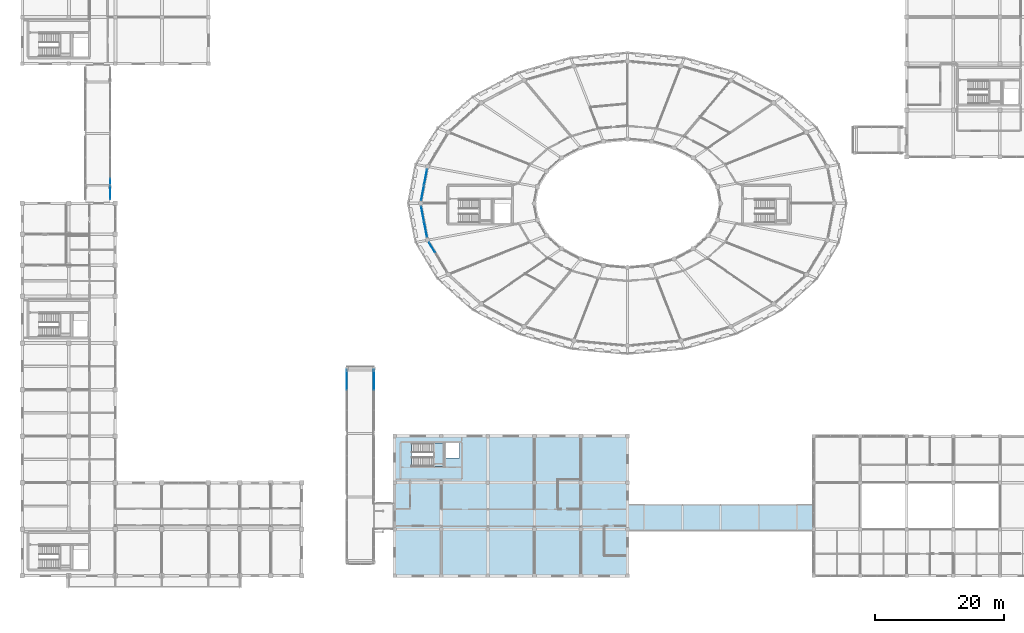
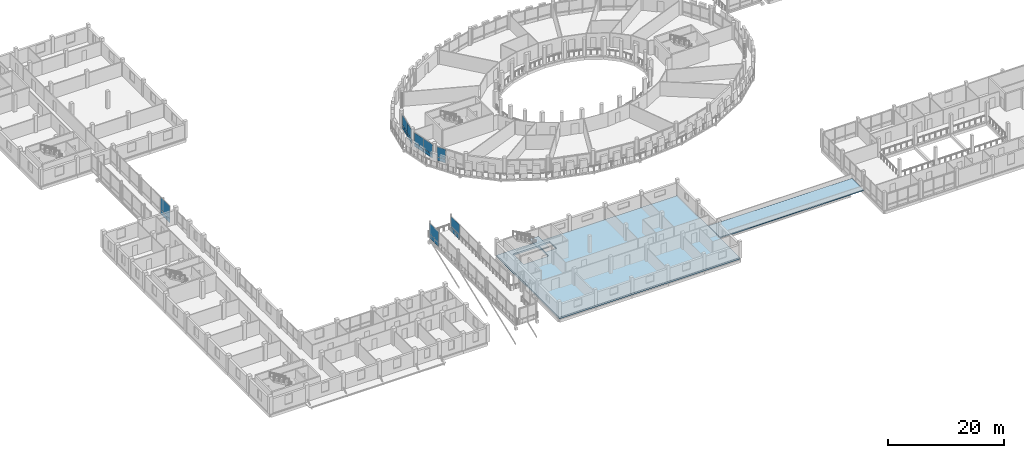
# One storey, part 98 of 128: 16 plates, 3 slabs, 7 elements without a shape of their own.
"""IFC4 building model written with IfcOpenShell, lengths in metres."""

from ifc_helpers import new_model, si_unit, direction, frame, origin, origin_2d, place, context, subcontext, project, spatial, polyline, rectangle, outline, extrude, material, layer, layer_set, type_object, element, aggregate, save


model = new_model("IFC4")

# Units and contexts
model_context = context("Model", 3, precision=1e-05, world=origin(), true_north=direction((0.0, 1.0)))
body_context = subcontext(model_context, "Body", "Model", "MODEL_VIEW")
ifc_project = project(units=[si_unit("LENGTHUNIT", "METRE"), si_unit("AREAUNIT", "SQUARE_METRE"), si_unit("VOLUMEUNIT", "CUBIC_METRE"), si_unit("PLANEANGLEUNIT", "RADIAN"), si_unit("MASSUNIT", "GRAM", prefix="KILO")], contexts=[model_context])

# Site, building, storey
site_placement = place(None, origin())
site = spatial("IfcSite", under=ifc_project, at=site_placement, CompositionType="ELEMENT")
building_placement = place(site_placement, origin())
building = spatial("IfcBuilding", under=site, at=building_placement, Name="Zornivar Specialist Clinic", CompositionType="ELEMENT")
storey_placement = place(building_placement, frame((0.0, 0.0, 4.5)))
storey = spatial("IfcBuildingStorey", under=building, at=storey_placement, Name="L01", CompositionType="ELEMENT", Elevation=4.5)

# Curtain wall, plates
ifc_material_1 = material(Name="Aluminium and Low-E Glass Curtain Wall", Category="aluminium")
curtain_wall_type_1 = type_object("IfcCurtainWallType", Name="CW-DRUM-FACET", PredefinedType="NOTDEFINED", material=ifc_material_1)
curtain_wall_1_placement = place(storey_placement, origin())
curtain_wall_1 = element("IfcCurtainWall", 1, at=curtain_wall_1_placement, inside=storey, type_object=curtain_wall_type_1, Name="cw:V1:L01:c11", PredefinedType="NOTDEFINED")
ifc_material_2 = material(Name="Insulated Bronze Spandrel Panel")
ifc_layer_1 = layer(ifc_material_2, 0.048095703125)
ifc_layer_set_1 = layer_set([ifc_layer_1], Name="Insulated Bronze Spandrel Panel")
plate_type_1 = type_object("IfcPlateType", Name="CWP-SPN-A", PredefinedType="CURTAIN_PANEL", material=ifc_layer_set_1)
plate_1_placement = place(storey_placement, frame((62.3720703125, 61.635009765625, 0.03076171875), z_axis=(0.0, 0.0, 1.0), x_axis=(-0.187896976838, -0.982188742602, 0.0)))
plate_1 = element("IfcPlate", 2, at=plate_1_placement, type_object=plate_type_1, Name="cw:V1:L01:c11:spn:0", PredefinedType="CURTAIN_PANEL", context=body_context, shape_type="SweptSolid", body=[
    extrude(rectangle(XDim=2.34912109375, YDim=0.048095703125, at=origin_2d()), origin(), (0.0, 0.0, 1.0), 0.722900390625),
])
plate_2_placement = place(storey_placement, frame((61.9169921875, 59.259033203125, 0.03076171875), z_axis=(0.0, 0.0, 1.0), x_axis=(-0.187896976838, -0.982188742602, 0.0)))
plate_2 = element("IfcPlate", 3, at=plate_2_placement, type_object=plate_type_1, Name="cw:V1:L01:c11:spn:1", PredefinedType="CURTAIN_PANEL", context=body_context, shape_type="SweptSolid", body=[
    extrude(rectangle(XDim=2.34912109375, YDim=0.048095703125, at=origin_2d()), origin(), (0.0, 0.0, 1.0), 0.722900390625),
])

curtain_wall_2_placement = place(storey_placement, origin())
curtain_wall_2 = element("IfcCurtainWall", 4, at=curtain_wall_2_placement, inside=storey, type_object=curtain_wall_type_1, Name="cw:V1:L01:c12", PredefinedType="NOTDEFINED")
ifc_material_3 = material(Name="Insulated Bronze Spandrel Panel")
ifc_layer_2 = layer(ifc_material_3, 0.048095703125)
ifc_layer_set_2 = layer_set([ifc_layer_2], Name="Insulated Bronze Spandrel Panel")
plate_type_2 = type_object("IfcPlateType", Name="CWP-SPN-B", PredefinedType="CURTAIN_PANEL", material=ifc_layer_set_2)
plate_3_placement = place(storey_placement, frame((61.91796875, 55.94091796875, 0.03076171875), z_axis=(0.0, 0.0, 1.0), x_axis=(0.187896976838, -0.982188742602, 0.0)))
plate_3 = element("IfcPlate", 5, at=plate_3_placement, type_object=plate_type_2, Name="cw:V1:L01:c12:spn:0", PredefinedType="CURTAIN_PANEL", context=body_context, shape_type="SweptSolid", body=[
    extrude(rectangle(XDim=2.34912109375, YDim=0.048095703125, at=origin_2d()), origin(), (0.0, 0.0, 1.0), 0.722900390625),
])
plate_4_placement = place(storey_placement, frame((62.373046875, 53.56494140625, 0.03076171875), z_axis=(0.0, 0.0, 1.0), x_axis=(0.187896976838, -0.982188742602, 0.0)))
plate_4 = element("IfcPlate", 6, at=plate_4_placement, type_object=plate_type_2, Name="cw:V1:L01:c12:spn:1", PredefinedType="CURTAIN_PANEL", context=body_context, shape_type="SweptSolid", body=[
    extrude(rectangle(XDim=2.34912109375, YDim=0.048095703125, at=origin_2d()), origin(), (0.0, 0.0, 1.0), 0.722900390625),
])

# Curtain wall, plate
curtain_wall_3_placement = place(storey_placement, origin())
curtain_wall_3 = element("IfcCurtainWall", 7, at=curtain_wall_3_placement, inside=storey, type_object=curtain_wall_type_1, Name="cw:V1:L01:c13", PredefinedType="NOTDEFINED")
ifc_material_4 = material(Name="Insulated Bronze Spandrel Panel")
ifc_layer_3 = layer(ifc_material_4, 0.048095703125)
ifc_layer_set_3 = layer_set([ifc_layer_3], Name="Insulated Bronze Spandrel Panel")
plate_type_3 = type_object("IfcPlateType", Name="CWP-SPN-C", PredefinedType="CURTAIN_PANEL", material=ifc_layer_set_3)
plate_5_placement = place(storey_placement, frame((63.387939453125, 50.7470703125, 0.03076171875), z_axis=(0.0, 0.0, 1.0), x_axis=(0.516127401954, -0.856511824175, 0.0)))
plate_5 = element("IfcPlate", 8, at=plate_5_placement, type_object=plate_type_3, Name="cw:V1:L01:c13:spn:0", PredefinedType="CURTAIN_PANEL", context=body_context, shape_type="SweptSolid", body=[
    extrude(rectangle(XDim=1.675048828125, YDim=0.048095703125, at=origin_2d()), origin(), (0.0, 0.0, 1.0), 0.722900390625),
])

ifc_material_5 = material(Name="Aluminium and Low-E Glass Curtain Wall", Category="aluminium")
curtain_wall_type_2 = type_object("IfcCurtainWallType", Name="CW-BRIDGE-LINK", PredefinedType="NOTDEFINED", material=ifc_material_5)
curtain_wall_4_placement = place(storey_placement, origin())
curtain_wall_4 = element("IfcCurtainWall", 9, at=curtain_wall_4_placement, inside=storey, type_object=curtain_wall_type_2, Name="cw:BR1:L01:W:2", PredefinedType="NOTDEFINED")
ifc_material_6 = material(Name="Insulated Bronze Spandrel Panel")
ifc_layer_4 = layer(ifc_material_6, 0.0458984375)
ifc_layer_set_4 = layer_set([ifc_layer_4], Name="Insulated Bronze Spandrel Panel")
plate_type_4 = type_object("IfcPlateType", Name="CWP-SPN-E", PredefinedType="CURTAIN_PANEL", material=ifc_layer_set_4)
plate_6_placement = place(storey_placement, frame((50.199951171875, 30.346923828125, 0.02978515625), z_axis=(0.0, 0.0, 1.0), x_axis=(0.0, 1.0, 0.0)))
plate_6 = element("IfcPlate", 10, at=plate_6_placement, type_object=plate_type_4, Name="cw:BR1:L01:W:2:spn:2", PredefinedType="CURTAIN_PANEL", context=body_context, shape_type="SweptSolid", body=[
    extrude(rectangle(XDim=3.076904296875, YDim=0.0458984375, at=origin_2d()), origin(), (0.0, 0.0, 1.0), 0.781982421875),
])

curtain_wall_5_placement = place(storey_placement, origin())
curtain_wall_5 = element("IfcCurtainWall", 11, at=curtain_wall_5_placement, inside=storey, type_object=curtain_wall_type_2, Name="cw:BR1:L01:E:2", PredefinedType="NOTDEFINED")
plate_7_placement = place(storey_placement, frame((54.39990234375, 30.346923828125, 0.02978515625), z_axis=(0.0, 0.0, 1.0), x_axis=(0.0, 1.0, 0.0)))
plate_7 = element("IfcPlate", 12, at=plate_7_placement, type_object=plate_type_4, Name="cw:BR1:L01:E:2:spn:2", PredefinedType="CURTAIN_PANEL", context=body_context, shape_type="SweptSolid", body=[
    extrude(rectangle(XDim=3.076904296875, YDim=0.0458984375, at=origin_2d()), origin(), (0.0, 0.0, 1.0), 0.781982421875),
])

curtain_wall_6_placement = place(storey_placement, origin())
curtain_wall_6 = element("IfcCurtainWall", 13, at=curtain_wall_6_placement, inside=storey, type_object=curtain_wall_type_2, Name="cw:BR2:L01:E:0", PredefinedType="NOTDEFINED")
plate_8_placement = place(storey_placement, frame((13.60009765625, 59.820068359375, 0.030029296875), z_axis=(0.0, 0.0, 1.0), x_axis=(0.0, 1.0, 0.0)))
plate_8 = element("IfcPlate", 14, at=plate_8_placement, type_object=plate_type_4, Name="cw:BR2:L01:E:0:spn:0", PredefinedType="CURTAIN_PANEL", context=body_context, shape_type="SweptSolid", body=[
    extrude(rectangle(XDim=3.169921875, YDim=0.0458984375, at=origin_2d()), origin(), (0.0, 0.0, 1.0), 0.7900390625),
])

# Plate
ifc_material_7 = material(Name="Triple Low-E Vision Glass", Category="glass")
ifc_layer_5 = layer(ifc_material_7, 0.035888671875)
ifc_layer_set_5 = layer_set([ifc_layer_5], Name="Triple Low-E Vision Glass")
plate_type_5 = type_object("IfcPlateType", Name="CWP-VIS-C", PredefinedType="CURTAIN_PANEL", material=ifc_layer_set_5)
plate_9_placement = place(storey_placement, frame((62.3720703125, 61.635009765625, 0.81787109375), z_axis=(0.0, 0.0, 1.0), x_axis=(-0.187896976838, -0.982188742602, 0.0)))
plate_9 = element("IfcPlate", 15, at=plate_9_placement, type_object=plate_type_5, Name="cw:V1:L01:c11:vis:0", PredefinedType="CURTAIN_PANEL", context=body_context, shape_type="SweptSolid", body=[
    extrude(rectangle(XDim=2.34912109375, YDim=0.035888671875, at=origin_2d()), origin(), (0.0, 0.0, 1.0), 2.092041015625),
])

plate_10_placement = place(storey_placement, frame((61.9169921875, 59.259033203125, 0.81787109375), z_axis=(0.0, 0.0, 1.0), x_axis=(-0.187896976838, -0.982188742602, 0.0)))
plate_10 = element("IfcPlate", 16, at=plate_10_placement, type_object=plate_type_5, Name="cw:V1:L01:c11:vis:1", PredefinedType="CURTAIN_PANEL", context=body_context, shape_type="SweptSolid", body=[
    extrude(rectangle(XDim=2.34912109375, YDim=0.035888671875, at=origin_2d()), origin(), (0.0, 0.0, 1.0), 2.092041015625),
])

aggregate(curtain_wall_1, [plate_1, plate_9, plate_2, plate_10])

ifc_material_8 = material(Name="Triple Low-E Vision Glass", Category="glass")
ifc_layer_6 = layer(ifc_material_8, 0.0380859375)
ifc_layer_set_6 = layer_set([ifc_layer_6], Name="Triple Low-E Vision Glass")
plate_type_6 = type_object("IfcPlateType", Name="CWP-VIS-D", PredefinedType="CURTAIN_PANEL", material=ifc_layer_set_6)
plate_11_placement = place(storey_placement, frame((61.91796875, 55.94091796875, 0.81787109375), z_axis=(0.0, 0.0, 1.0), x_axis=(0.187896976838, -0.982188742602, 0.0)))
plate_11 = element("IfcPlate", 17, at=plate_11_placement, type_object=plate_type_6, Name="cw:V1:L01:c12:vis:0", PredefinedType="CURTAIN_PANEL", context=body_context, shape_type="SweptSolid", body=[
    extrude(rectangle(XDim=2.34912109375, YDim=0.0380859375, at=origin_2d()), origin(), (0.0, 0.0, 1.0), 2.092041015625),
])

plate_12_placement = place(storey_placement, frame((62.373046875, 53.56494140625, 0.81787109375), z_axis=(0.0, 0.0, 1.0), x_axis=(0.187896976838, -0.982188742602, 0.0)))
plate_12 = element("IfcPlate", 18, at=plate_12_placement, type_object=plate_type_6, Name="cw:V1:L01:c12:vis:1", PredefinedType="CURTAIN_PANEL", context=body_context, shape_type="SweptSolid", body=[
    extrude(rectangle(XDim=2.34912109375, YDim=0.0380859375, at=origin_2d()), origin(), (0.0, 0.0, 1.0), 2.092041015625),
])

aggregate(curtain_wall_2, [plate_3, plate_11, plate_4, plate_12])

ifc_material_9 = material(Name="Triple Low-E Vision Glass", Category="glass")
ifc_layer_7 = layer(ifc_material_9, 0.035888671875)
ifc_layer_set_7 = layer_set([ifc_layer_7], Name="Triple Low-E Vision Glass")
plate_type_7 = type_object("IfcPlateType", Name="CWP-VIS-E", PredefinedType="CURTAIN_PANEL", material=ifc_layer_set_7)
plate_13_placement = place(storey_placement, frame((63.387939453125, 50.7470703125, 0.81787109375), z_axis=(0.0, 0.0, 1.0), x_axis=(0.516127401954, -0.856511824175, 0.0)))
plate_13 = element("IfcPlate", 19, at=plate_13_placement, type_object=plate_type_7, Name="cw:V1:L01:c13:vis:0", PredefinedType="CURTAIN_PANEL", context=body_context, shape_type="SweptSolid", body=[
    extrude(rectangle(XDim=1.675048828125, YDim=0.035888671875, at=origin_2d()), origin(), (0.0, 0.0, 1.0), 2.092041015625),
])

aggregate(curtain_wall_3, [plate_5, plate_13])

ifc_material_10 = material(Name="Bridge Acoustic Laminated Glass", Category="glass")
ifc_layer_8 = layer(ifc_material_10, 0.035888671875)
ifc_layer_set_8 = layer_set([ifc_layer_8], Name="Bridge Acoustic Laminated Glass")
plate_type_8 = type_object("IfcPlateType", Name="CWP-VIS-M", PredefinedType="CURTAIN_PANEL", material=ifc_layer_set_8)
plate_14_placement = place(storey_placement, frame((50.199951171875, 30.346923828125, 0.87646484375), z_axis=(0.0, 0.0, 1.0), x_axis=(0.0, 1.0, 0.0)))
plate_14 = element("IfcPlate", 20, at=plate_14_placement, type_object=plate_type_8, Name="cw:BR1:L01:W:2:vis:2", PredefinedType="CURTAIN_PANEL", context=body_context, shape_type="SweptSolid", body=[
    extrude(rectangle(XDim=3.076904296875, YDim=0.035888671875, at=origin_2d()), origin(), (0.0, 0.0, 1.0), 2.262939453125),
])

aggregate(curtain_wall_4, [plate_6, plate_14])

plate_15_placement = place(storey_placement, frame((54.39990234375, 30.346923828125, 0.87646484375), z_axis=(0.0, 0.0, 1.0), x_axis=(0.0, 1.0, 0.0)))
plate_15 = element("IfcPlate", 21, at=plate_15_placement, type_object=plate_type_8, Name="cw:BR1:L01:E:2:vis:2", PredefinedType="CURTAIN_PANEL", context=body_context, shape_type="SweptSolid", body=[
    extrude(rectangle(XDim=3.076904296875, YDim=0.035888671875, at=origin_2d()), origin(), (0.0, 0.0, 1.0), 2.262939453125),
])

aggregate(curtain_wall_5, [plate_7, plate_15])

plate_16_placement = place(storey_placement, frame((13.60009765625, 59.820068359375, 0.88427734375), z_axis=(0.0, 0.0, 1.0), x_axis=(0.0, 1.0, 0.0)))
plate_16 = element("IfcPlate", 22, at=plate_16_placement, type_object=plate_type_8, Name="cw:BR2:L01:E:0:vis:0", PredefinedType="CURTAIN_PANEL", context=body_context, shape_type="SweptSolid", body=[
    extrude(rectangle(XDim=3.169921875, YDim=0.035888671875, at=origin_2d()), origin(), (0.0, 0.0, 1.0), 2.655029296875),
])

aggregate(curtain_wall_6, [plate_8, plate_16])

# Slab
ifc_material_11 = material(Name="Concrete C30/37", Category="concrete")
ifc_layer_9 = layer(ifc_material_11, 0.35009765625)
ifc_layer_set_9 = layer_set([ifc_layer_9], Name="Concrete C30/37")
slab_type_1 = type_object("IfcSlabType", Name="SLB-FLR-IMG-350", PredefinedType="FLOOR", material=ifc_layer_set_9)
slab_1_placement = place(storey_placement, frame((0.0, 0.0, -0.35009765625)))
element("IfcSlab", 23, at=slab_1_placement, inside=storey, type_object=slab_type_1, Name="slab:V3:L01:main", PredefinedType="FLOOR", context=body_context, shape_type="SweptSolid", body=[
    extrude(outline(polyline([(57.60009765625, 0.0), (93.60009765625, 0.0), (93.60009765625, 21.60009765625), (57.60009765625, 21.60009765625), (57.60009765625, 0.0)]), holes=[polyline([(60.219970703125, 16.89990234375), (65.300048828125, 16.89990234375), (65.300048828125, 20.5), (60.219970703125, 20.5), (60.219970703125, 16.89990234375)]), polyline([(65.39990234375, 18.199951171875), (67.60009765625, 18.199951171875), (67.60009765625, 20.60009765625), (65.39990234375, 20.60009765625), (65.39990234375, 18.199951171875)])]), origin(), (0.0, 0.0, 1.0), 0.35009765625),
])

# Stair, slab
ifc_material_12 = material(Name="Concrete C30/37", Category="concrete")
stair_type = type_object("IfcStairType", Name="STR-CORE-IMG-4200", PredefinedType="HALF_TURN_STAIR", material=ifc_material_12)
stair_placement = place(storey_placement, origin())
stair = element("IfcStair", 24, at=stair_placement, inside=storey, type_object=stair_type, Name="stair:C5:L01", PredefinedType="HALF_TURN_STAIR")
ifc_material_13 = material(Name="Concrete C30/37", Category="concrete")
ifc_layer_10 = layer(ifc_material_13, 0.179931640625)
ifc_layer_set_10 = layer_set([ifc_layer_10], Name="Concrete C30/37")
slab_type_2 = type_object("IfcSlabType", Name="SLB-LANDING-180", PredefinedType="LANDING", material=ifc_layer_set_10)
slab_2_placement = place(storey_placement, frame((0.0, 0.0, 1.77001953125)))
slab_2 = element("IfcSlab", 25, at=slab_2_placement, type_object=slab_type_2, Name="stair:C5:L01:land", PredefinedType="LANDING", context=body_context, shape_type="SweptSolid", body=[
    extrude(outline(polyline([(63.5400390625, 16.8798828125), (65.320068359375, 16.8798828125), (65.320068359375, 20.52001953125), (63.5400390625, 20.52001953125), (63.5400390625, 16.8798828125)])), origin(), (0.0, 0.0, 1.0), 0.179931640625),
])
aggregate(stair, [slab_2])

# Slab
ifc_material_14 = material(Name="Concrete C30/37", Category="concrete")
ifc_layer_11 = layer(ifc_material_14, 0.219970703125)
ifc_layer_set_11 = layer_set([ifc_layer_11], Name="Concrete C30/37")
slab_type_3 = type_object("IfcSlabType", Name="SLB-ROOF-FLAT-220", PredefinedType="ROOF", material=ifc_layer_set_11)
slab_3_placement = place(storey_placement, frame((0.0, 0.0, -0.219970703125)))
element("IfcSlab", 26, at=slab_3_placement, inside=storey, type_object=slab_type_3, Name="slab:BR4:L01:roof", PredefinedType="ROOF", context=body_context, shape_type="SweptSolid", body=[
    extrude(outline(polyline([(93.719970703125, 7.0), (122.280029296875, 7.0), (122.280029296875, 11.0), (93.719970703125, 11.0), (93.719970703125, 7.0)])), origin(), (0.0, 0.0, 1.0), 0.219970703125),
])

save(model, "model.ifc")
